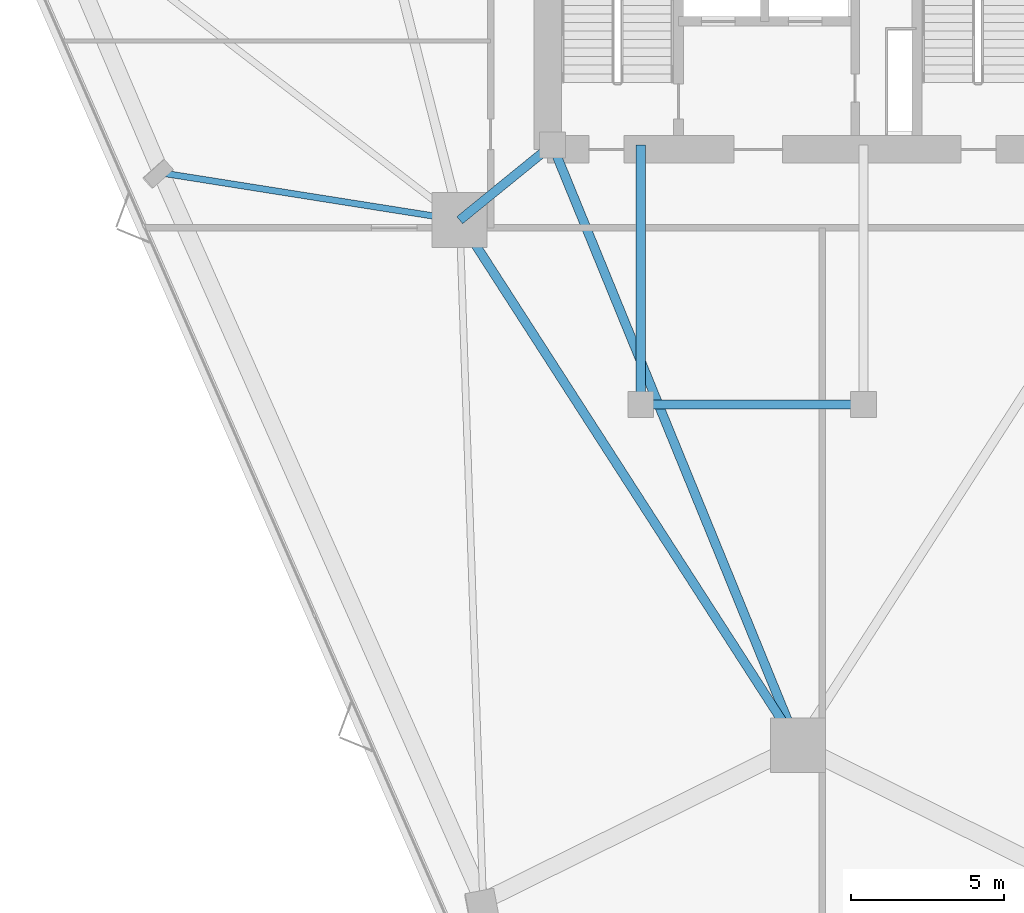
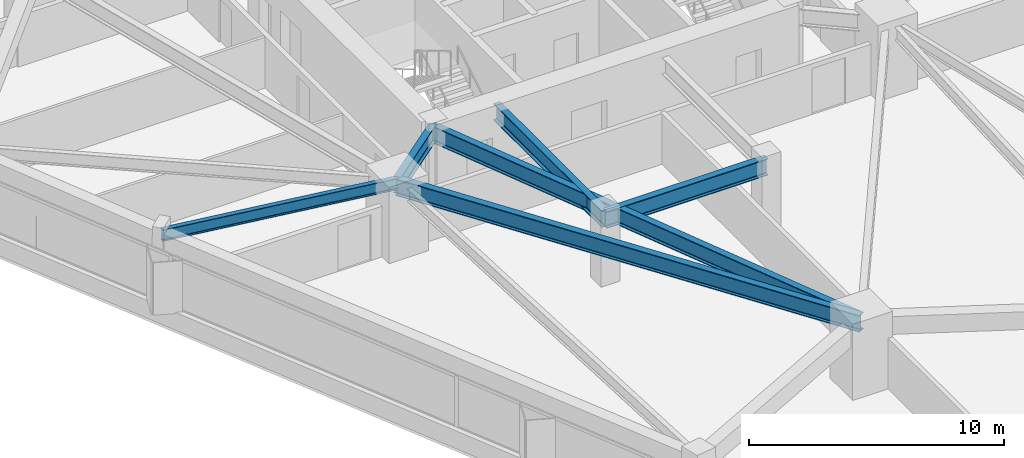
# One storey, part 7 of 20: 6 beams.
"""IFC4 building model written with IfcOpenShell, lengths in metres."""

from ifc_helpers import new_model, si_unit, direction, frame, origin, origin_2d, place, context, subcontext, project, spatial, i_section, extrude, material, material_profile, profile_set, type_object, element, save


model = new_model("IFC4")

# Units and contexts
model_context = context("Model", 3, precision=1e-05, world=origin(), true_north=direction((0.0, 1.0)))
body_context = subcontext(model_context, "Body", "Model", "MODEL_VIEW")
ifc_project = project(units=[si_unit("LENGTHUNIT", "METRE"), si_unit("AREAUNIT", "SQUARE_METRE"), si_unit("VOLUMEUNIT", "CUBIC_METRE"), si_unit("PLANEANGLEUNIT", "RADIAN"), si_unit("MASSUNIT", "GRAM", prefix="KILO")], contexts=[model_context])

# Site, building, storey
site_placement = place(None, origin())
site = spatial("IfcSite", under=ifc_project, at=site_placement, CompositionType="ELEMENT")
building_placement = place(site_placement, origin())
building = spatial("IfcBuilding", under=site, at=building_placement, Name="Talyreon Biosciences Tower", CompositionType="ELEMENT")
storey_placement = place(building_placement, frame((0.0, 0.0, 62.949951171875)))
storey = spatial("IfcBuildingStorey", under=building, at=storey_placement, Name="L16", CompositionType="ELEMENT", Elevation=62.949951171875)

# Beams
ifc_material = material(Name="Steel SM355", Category="steel")
ifc_material_profile_1 = material_profile(ifc_material, i_section(OverallWidth=0.300048828125, OverallDepth=0.800048828125, WebThickness=0.017578125, FlangeThickness=0.032958984375, FilletRadius=0.030029296875, at=origin_2d()), Name="HE800B")
ifc_profile_set_1 = profile_set([ifc_material_profile_1], Name="Steel SM355")
beam_type_1 = type_object("IfcBeamType", Name="SteelGirder_HE800B", PredefinedType="BEAM", material=ifc_profile_set_1)
beam_1_placement = place(storey_placement, frame((54.913818359375, 58.88037109375, 2.900146484375), z_axis=(0.541463723609, -0.840724114092, 0.0), x_axis=(0.840724114092, 0.541463723609, 0.0)))
element("IfcBeam", 1, at=beam_1_placement, inside=storey, type_object=beam_type_1, Name="L16 Mega-Ring Girder 6", PredefinedType="BEAM", context=body_context, shape_type="SweptSolid", body=[
    extrude(i_section(OverallWidth=0.300048828125, OverallDepth=0.800048828125, WebThickness=0.017578125, FlangeThickness=0.032958984375, FilletRadius=0.030029296875, at=origin_2d()), origin(), (0.0, 0.0, 1.0), 20.474365234375),
])
beam_2_placement = place(storey_placement, frame((57.949951171875, 61.35009765625, 2.900146484375), z_axis=(0.378547014545, -0.925582064314, 0.0), x_axis=(0.925582064314, 0.378547014545, 0.0)))
element("IfcBeam", 2, at=beam_2_placement, inside=storey, type_object=beam_type_1, Name="L16 Radial Primary Girder 1", PredefinedType="BEAM", context=body_context, shape_type="SweptSolid", body=[
    extrude(i_section(OverallWidth=0.300048828125, OverallDepth=0.800048828125, WebThickness=0.017578125, FlangeThickness=0.032958984375, FilletRadius=0.030029296875, at=origin_2d()), origin(), (0.0, 0.0, 1.0), 21.265625),
])
beam_3_placement = place(storey_placement, frame((57.949951171875, 61.35009765625, 2.900146484375), z_axis=(-0.775755154013, -0.631034025249, 0.0), x_axis=(0.631034025249, -0.775755154013, 0.0)))
element("IfcBeam", 3, at=beam_3_placement, inside=storey, type_object=beam_type_1, Name="L16 Radial Primary Girder 6", PredefinedType="BEAM", context=body_context, shape_type="SweptSolid", body=[
    extrude(i_section(OverallWidth=0.300048828125, OverallDepth=0.800048828125, WebThickness=0.017578125, FlangeThickness=0.032958984375, FilletRadius=0.030029296875, at=origin_2d()), origin(), (0.0, 0.0, 1.0), 3.913818359375),
])
beam_4_placement = place(storey_placement, frame((60.85009765625, 52.840087890625, 2.900146484375), z_axis=(1.0, 0.0, 0.0), x_axis=(0.0, 1.0, 0.0)))
element("IfcBeam", 4, at=beam_4_placement, inside=storey, type_object=beam_type_1, Name="L16 Crown Shaft Spine Girder S", PredefinedType="BEAM", context=body_context, shape_type="SweptSolid", body=[
    extrude(i_section(OverallWidth=0.300048828125, OverallDepth=0.800048828125, WebThickness=0.017578125, FlangeThickness=0.032958984375, FilletRadius=0.030029296875, at=origin_2d()), origin(), (0.0, 0.0, 1.0), 7.2998046875),
])
beam_5_placement = place(storey_placement, frame((60.85009765625, 52.840087890625, 2.900146484375), z_axis=(0.0, 1.0, 0.0), x_axis=(-1.0, 0.0, 0.0)))
element("IfcBeam", 5, at=beam_5_placement, inside=storey, type_object=beam_type_1, Name="L16 Crown Shaft Tie Girder W", PredefinedType="BEAM", context=body_context, shape_type="SweptSolid", body=[
    extrude(i_section(OverallWidth=0.300048828125, OverallDepth=0.800048828125, WebThickness=0.017578125, FlangeThickness=0.032958984375, FilletRadius=0.030029296875, at=origin_2d()), origin(), (0.0, 0.0, 1.0), 8.510009765625),
])
ifc_material_profile_2 = material_profile(ifc_material, i_section(OverallWidth=0.2099609375, OverallDepth=0.550048828125, WebThickness=0.010986328125, FlangeThickness=0.01708984375, FilletRadius=0.02392578125, at=origin_2d()), Name="IPE550")
ifc_profile_set_2 = profile_set([ifc_material_profile_2], Name="Steel SM355")
beam_type_2 = type_object("IfcBeamType", Name="SteelJoist_IPE550", PredefinedType="JOIST", material=ifc_profile_set_2)
beam_6_placement = place(storey_placement, frame((54.913818359375, 58.88037109375, 3.025146484375), z_axis=(-0.98769176291, 0.156412855865, 0.0), x_axis=(-0.156412855865, -0.98769176291, 0.0)))
element("IfcBeam", 6, at=beam_6_placement, inside=storey, type_object=beam_type_2, Name="L16 Radial Composite Floor Joist PL-SW", PredefinedType="JOIST", context=body_context, shape_type="SweptSolid", body=[
    extrude(i_section(OverallWidth=0.2099609375, OverallDepth=0.550048828125, WebThickness=0.010986328125, FlangeThickness=0.01708984375, FilletRadius=0.02392578125, at=origin_2d()), origin(), (0.0, 0.0, 1.0), 9.91162109375),
])

save(model, "model.ifc")
